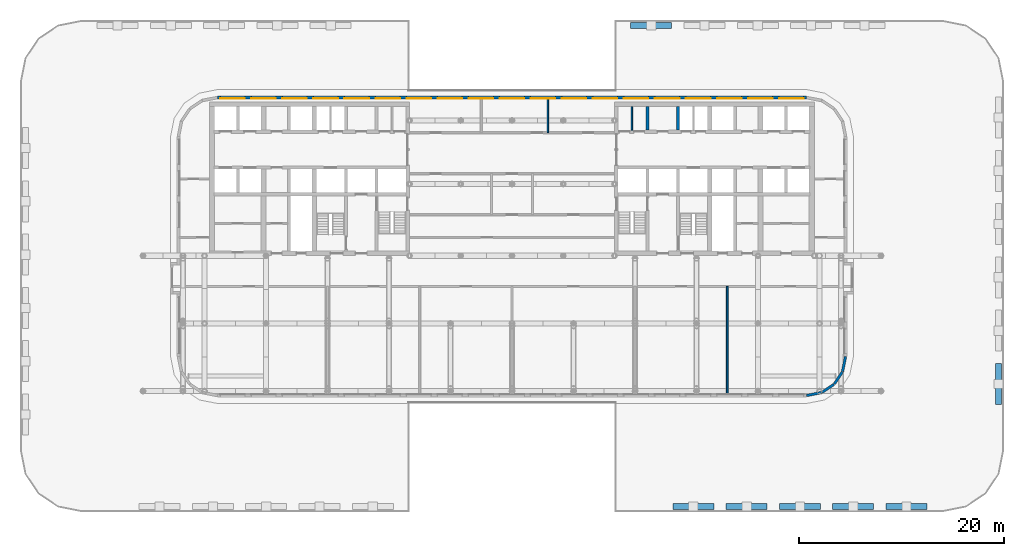
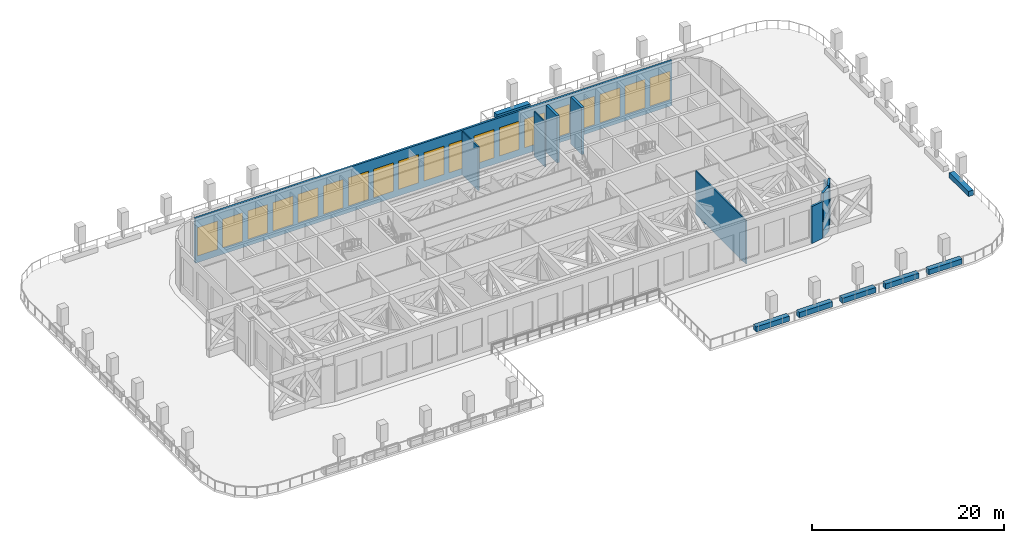
# One storey, part 13 of 20: 19 windows, 17 walls, 19 openings.
"""IFC4 building model written with IfcOpenShell, lengths in metres."""

from ifc_helpers import new_model, si_unit, direction, frame, frame_2d, origin, place, context, subcontext, project, spatial, rectangle, extrude, material, layer, layer_set, type_object, element, fill, save


model = new_model("IFC4")

# Units and contexts
model_context = context("Model", 3, precision=1e-05, world=origin(), true_north=direction((0.0, 1.0)))
body_context = subcontext(model_context, "Body", "Model", "MODEL_VIEW")
ifc_project = project(units=[si_unit("LENGTHUNIT", "METRE"), si_unit("AREAUNIT", "SQUARE_METRE"), si_unit("VOLUMEUNIT", "CUBIC_METRE"), si_unit("PLANEANGLEUNIT", "RADIAN"), si_unit("MASSUNIT", "GRAM", prefix="KILO")], contexts=[model_context])

# Site, building, storey
site_placement = place(None, origin())
site = spatial("IfcSite", under=ifc_project, at=site_placement, CompositionType="ELEMENT")
building_placement = place(site_placement, origin())
building = spatial("IfcBuilding", under=site, at=building_placement, Name="Torana Hotel and Residences", CompositionType="ELEMENT")
storey_placement = place(building_placement, frame((0.0, 0.0, 18.0)))
storey = spatial("IfcBuildingStorey", under=building, at=storey_placement, Name="L03", CompositionType="ELEMENT", Elevation=18.0)

# Walls
ifc_material_1 = material(Name="Concrete C80/95", Category="concrete")
ifc_layer_1 = layer(ifc_material_1, 0.300048828125)
ifc_layer_set_1 = layer_set([ifc_layer_1], Name="CORE WALL 300 C80/95")
wall_type_1 = type_object("IfcWallType", Name="CORE WALL 300 C80/95", PredefinedType="SHEAR", material=ifc_layer_set_1)
for number, where, z_axis, x_axis, name in (
    (1, (13.199951171875, -2.75, 0.0), (0.0, 0.0, 1.0), (0.0, 1.0, 0.0), "Core wall E x3.05-N"),
    (2, (16.199951171875, -2.75, 0.0), (0.0, 0.0, 1.0), (0.0, 1.0, 0.0), "Core wall E x6.05-N"),
):
    element("IfcWall", number, at=place(storey_placement, frame(where, z_axis=z_axis, x_axis=x_axis)), inside=storey, type_object=wall_type_1, Name=name, PredefinedType="SHEAR", context=body_context, shape_type="SweptSolid", body=[
        extrude(rectangle(XDim=2.300048828125, YDim=0.300048828125, at=frame_2d((1.14990234375, 0.0))), origin(), (0.0, 0.0, 1.0), 6.0),
    ])

# Wall, openings, windows
ifc_material_2 = material(Name="Aluminium louvre wall", Category="aluminium")
ifc_layer_2 = layer(ifc_material_2, 0.25)
ifc_layer_set_2 = layer_set([ifc_layer_2], Name="EW3 LOUVRE WALL 250")
wall_type_2 = type_object("IfcWallType", Name="EW3 LOUVRE WALL 250", PredefinedType="SOLIDWALL", material=ifc_layer_set_2)
wall_1_placement = place(storey_placement, frame((28.712890625, 0.43896484375, 0.0), z_axis=(0.0, 0.0, 1.0), x_axis=(-1.0, 0.0, 0.0)))
wall_1 = element("IfcWall", 3, at=wall_1_placement, inside=storey, type_object=wall_type_2, Name="Louvre wall L03 e0.4", PredefinedType="SOLIDWALL", context=body_context, shape_type="SweptSolid", body=[
    extrude(rectangle(XDim=57.42578125, YDim=0.25, at=frame_2d((28.712890625, 0.0))), origin(), (0.0, 0.0, 1.0), 5.719970703125),
])
opening_1_placement = place(wall_1_placement, frame((0.251953125, 0.0, 0.85791015625)))
opening_1 = element("IfcOpeningElement", 4, at=opening_1_placement, cuts=wall_1, Name="Opening LV2", PredefinedType="OPENING", context=body_context, shape_type="SweptSolid", body=[
    extrude(rectangle(XDim=2.39990234375, YDim=3.60009765625, at=frame_2d((1.199951171875, 1.800048828125))), frame((0.0, 0.135009765625, 0.0), z_axis=(0.0, -1.0, 0.0), x_axis=(1.0, 0.0, 0.0)), (0.0, 0.0, 1.0), 0.27001953125),
])
opening_2_placement = place(wall_1_placement, frame((3.281005859375, 0.0, 0.85791015625)))
opening_2 = element("IfcOpeningElement", 5, at=opening_2_placement, cuts=wall_1, Name="Opening LV2", PredefinedType="OPENING", context=body_context, shape_type="SweptSolid", body=[
    extrude(rectangle(XDim=2.39990234375, YDim=3.60009765625, at=frame_2d((1.199951171875, 1.800048828125))), frame((0.0, 0.135009765625, 0.0), z_axis=(0.0, -1.0, 0.0), x_axis=(1.0, 0.0, 0.0)), (0.0, 0.0, 1.0), 0.27001953125),
])
opening_3_placement = place(wall_1_placement, frame((6.309814453125, 0.0, 0.85791015625)))
opening_3 = element("IfcOpeningElement", 6, at=opening_3_placement, cuts=wall_1, Name="Opening LV2", PredefinedType="OPENING", context=body_context, shape_type="SweptSolid", body=[
    extrude(rectangle(XDim=2.39990234375, YDim=3.60009765625, at=frame_2d((1.199951171875, 1.800048828125))), frame((0.0, 0.135009765625, 0.0), z_axis=(0.0, -1.0, 0.0), x_axis=(1.0, 0.0, 0.0)), (0.0, 0.0, 1.0), 0.27001953125),
])
opening_4_placement = place(wall_1_placement, frame((9.3388671875, 0.0, 0.85791015625)))
opening_4 = element("IfcOpeningElement", 7, at=opening_4_placement, cuts=wall_1, Name="Opening LV2", PredefinedType="OPENING", context=body_context, shape_type="SweptSolid", body=[
    extrude(rectangle(XDim=2.39990234375, YDim=3.60009765625, at=frame_2d((1.199951171875, 1.800048828125))), frame((0.0, 0.135009765625, 0.0), z_axis=(0.0, -1.0, 0.0), x_axis=(1.0, 0.0, 0.0)), (0.0, 0.0, 1.0), 0.27001953125),
])
opening_5_placement = place(wall_1_placement, frame((12.367919921875, 0.0, 0.85791015625)))
opening_5 = element("IfcOpeningElement", 8, at=opening_5_placement, cuts=wall_1, Name="Opening LV2", PredefinedType="OPENING", context=body_context, shape_type="SweptSolid", body=[
    extrude(rectangle(XDim=2.39990234375, YDim=3.60009765625, at=frame_2d((1.199951171875, 1.800048828125))), frame((0.0, 0.135009765625, 0.0), z_axis=(0.0, -1.0, 0.0), x_axis=(1.0, 0.0, 0.0)), (0.0, 0.0, 1.0), 0.27001953125),
])
opening_6_placement = place(wall_1_placement, frame((15.396728515625, 0.0, 0.85791015625)))
opening_6 = element("IfcOpeningElement", 9, at=opening_6_placement, cuts=wall_1, Name="Opening LV2", PredefinedType="OPENING", context=body_context, shape_type="SweptSolid", body=[
    extrude(rectangle(XDim=2.39990234375, YDim=3.60009765625, at=frame_2d((1.199951171875, 1.800048828125))), frame((0.0, 0.135009765625, 0.0), z_axis=(0.0, -1.0, 0.0), x_axis=(1.0, 0.0, 0.0)), (0.0, 0.0, 1.0), 0.27001953125),
])
opening_7_placement = place(wall_1_placement, frame((18.42578125, 0.0, 0.85791015625)))
opening_7 = element("IfcOpeningElement", 10, at=opening_7_placement, cuts=wall_1, Name="Opening LV2", PredefinedType="OPENING", context=body_context, shape_type="SweptSolid", body=[
    extrude(rectangle(XDim=2.39990234375, YDim=3.60009765625, at=frame_2d((1.199951171875, 1.800048828125))), frame((0.0, 0.135009765625, 0.0), z_axis=(0.0, -1.0, 0.0), x_axis=(1.0, 0.0, 0.0)), (0.0, 0.0, 1.0), 0.27001953125),
])
opening_8_placement = place(wall_1_placement, frame((21.454833984375, 0.0, 0.85791015625)))
opening_8 = element("IfcOpeningElement", 11, at=opening_8_placement, cuts=wall_1, Name="Opening LV2", PredefinedType="OPENING", context=body_context, shape_type="SweptSolid", body=[
    extrude(rectangle(XDim=2.39990234375, YDim=3.60009765625, at=frame_2d((1.199951171875, 1.800048828125))), frame((0.0, 0.135009765625, 0.0), z_axis=(0.0, -1.0, 0.0), x_axis=(1.0, 0.0, 0.0)), (0.0, 0.0, 1.0), 0.27001953125),
])
opening_9_placement = place(wall_1_placement, frame((24.48388671875, 0.0, 0.85791015625)))
opening_9 = element("IfcOpeningElement", 12, at=opening_9_placement, cuts=wall_1, Name="Opening LV2", PredefinedType="OPENING", context=body_context, shape_type="SweptSolid", body=[
    extrude(rectangle(XDim=2.39990234375, YDim=3.60009765625, at=frame_2d((1.199951171875, 1.800048828125))), frame((0.0, 0.135009765625, 0.0), z_axis=(0.0, -1.0, 0.0), x_axis=(1.0, 0.0, 0.0)), (0.0, 0.0, 1.0), 0.27001953125),
])
opening_10_placement = place(wall_1_placement, frame((27.5126953125, 0.0, 0.85791015625)))
opening_10 = element("IfcOpeningElement", 13, at=opening_10_placement, cuts=wall_1, Name="Opening LV2", PredefinedType="OPENING", context=body_context, shape_type="SweptSolid", body=[
    extrude(rectangle(XDim=2.39990234375, YDim=3.60009765625, at=frame_2d((1.199951171875, 1.800048828125))), frame((0.0, 0.135009765625, 0.0), z_axis=(0.0, -1.0, 0.0), x_axis=(1.0, 0.0, 0.0)), (0.0, 0.0, 1.0), 0.27001953125),
])
opening_11_placement = place(wall_1_placement, frame((30.541748046875, 0.0, 0.85791015625)))
opening_11 = element("IfcOpeningElement", 14, at=opening_11_placement, cuts=wall_1, Name="Opening LV2", PredefinedType="OPENING", context=body_context, shape_type="SweptSolid", body=[
    extrude(rectangle(XDim=2.39990234375, YDim=3.60009765625, at=frame_2d((1.199951171875, 1.800048828125))), frame((0.0, 0.135009765625, 0.0), z_axis=(0.0, -1.0, 0.0), x_axis=(1.0, 0.0, 0.0)), (0.0, 0.0, 1.0), 0.27001953125),
])
opening_12_placement = place(wall_1_placement, frame((33.57080078125, 0.0, 0.85791015625)))
opening_12 = element("IfcOpeningElement", 15, at=opening_12_placement, cuts=wall_1, Name="Opening LV2", PredefinedType="OPENING", context=body_context, shape_type="SweptSolid", body=[
    extrude(rectangle(XDim=2.39990234375, YDim=3.60009765625, at=frame_2d((1.199951171875, 1.800048828125))), frame((0.0, 0.135009765625, 0.0), z_axis=(0.0, -1.0, 0.0), x_axis=(1.0, 0.0, 0.0)), (0.0, 0.0, 1.0), 0.27001953125),
])
opening_13_placement = place(wall_1_placement, frame((36.599609375, 0.0, 0.85791015625)))
opening_13 = element("IfcOpeningElement", 16, at=opening_13_placement, cuts=wall_1, Name="Opening LV2", PredefinedType="OPENING", context=body_context, shape_type="SweptSolid", body=[
    extrude(rectangle(XDim=2.39990234375, YDim=3.60009765625, at=frame_2d((1.199951171875, 1.800048828125))), frame((0.0, 0.135009765625, 0.0), z_axis=(0.0, -1.0, 0.0), x_axis=(1.0, 0.0, 0.0)), (0.0, 0.0, 1.0), 0.27001953125),
])
opening_14_placement = place(wall_1_placement, frame((39.628662109375, 0.0, 0.85791015625)))
opening_14 = element("IfcOpeningElement", 17, at=opening_14_placement, cuts=wall_1, Name="Opening LV2", PredefinedType="OPENING", context=body_context, shape_type="SweptSolid", body=[
    extrude(rectangle(XDim=2.39990234375, YDim=3.60009765625, at=frame_2d((1.199951171875, 1.800048828125))), frame((0.0, 0.135009765625, 0.0), z_axis=(0.0, -1.0, 0.0), x_axis=(1.0, 0.0, 0.0)), (0.0, 0.0, 1.0), 0.27001953125),
])
opening_15_placement = place(wall_1_placement, frame((42.65771484375, 0.0, 0.85791015625)))
opening_15 = element("IfcOpeningElement", 18, at=opening_15_placement, cuts=wall_1, Name="Opening LV2", PredefinedType="OPENING", context=body_context, shape_type="SweptSolid", body=[
    extrude(rectangle(XDim=2.39990234375, YDim=3.60009765625, at=frame_2d((1.199951171875, 1.800048828125))), frame((0.0, 0.135009765625, 0.0), z_axis=(0.0, -1.0, 0.0), x_axis=(1.0, 0.0, 0.0)), (0.0, 0.0, 1.0), 0.27001953125),
])
opening_16_placement = place(wall_1_placement, frame((45.686767578125, 0.0, 0.85791015625)))
opening_16 = element("IfcOpeningElement", 19, at=opening_16_placement, cuts=wall_1, Name="Opening LV2", PredefinedType="OPENING", context=body_context, shape_type="SweptSolid", body=[
    extrude(rectangle(XDim=2.39990234375, YDim=3.60009765625, at=frame_2d((1.199951171875, 1.800048828125))), frame((0.0, 0.135009765625, 0.0), z_axis=(0.0, -1.0, 0.0), x_axis=(1.0, 0.0, 0.0)), (0.0, 0.0, 1.0), 0.27001953125),
])
opening_17_placement = place(wall_1_placement, frame((48.7158203125, 0.0, 0.85791015625)))
opening_17 = element("IfcOpeningElement", 20, at=opening_17_placement, cuts=wall_1, Name="Opening LV2", PredefinedType="OPENING", context=body_context, shape_type="SweptSolid", body=[
    extrude(rectangle(XDim=2.39990234375, YDim=3.60009765625, at=frame_2d((1.199951171875, 1.800048828125))), frame((0.0, 0.135009765625, 0.0), z_axis=(0.0, -1.0, 0.0), x_axis=(1.0, 0.0, 0.0)), (0.0, 0.0, 1.0), 0.27001953125),
])
opening_18_placement = place(wall_1_placement, frame((51.74462890625, 0.0, 0.85791015625)))
opening_18 = element("IfcOpeningElement", 21, at=opening_18_placement, cuts=wall_1, Name="Opening LV2", PredefinedType="OPENING", context=body_context, shape_type="SweptSolid", body=[
    extrude(rectangle(XDim=2.39990234375, YDim=3.60009765625, at=frame_2d((1.199951171875, 1.800048828125))), frame((0.0, 0.135009765625, 0.0), z_axis=(0.0, -1.0, 0.0), x_axis=(1.0, 0.0, 0.0)), (0.0, 0.0, 1.0), 0.27001953125),
])
opening_19_placement = place(wall_1_placement, frame((54.773681640625, 0.0, 0.85791015625)))
opening_19 = element("IfcOpeningElement", 22, at=opening_19_placement, cuts=wall_1, Name="Opening LV2", PredefinedType="OPENING", context=body_context, shape_type="SweptSolid", body=[
    extrude(rectangle(XDim=2.39990234375, YDim=3.60009765625, at=frame_2d((1.199951171875, 1.800048828125))), frame((0.0, 0.135009765625, 0.0), z_axis=(0.0, -1.0, 0.0), x_axis=(1.0, 0.0, 0.0)), (0.0, 0.0, 1.0), 0.27001953125),
])
ifc_material_3 = material(Name="Aluminium louvre blades", Category="aluminium")
window_type = type_object("IfcWindowType", Name="LV2 LOUVRE 2400x3600", PartitioningType="SINGLE_PANEL", PredefinedType="USERDEFINED", material=ifc_material_3)
window_1_placement = place(opening_1_placement, origin())
window_1 = element("IfcWindow", 23, at=window_1_placement, inside=storey, type_object=window_type, Name="Louvre L03", ObjectType="LOUVRE", OverallHeight=3.60009765625, OverallWidth=2.39990234375, PartitioningType="SINGLE_PANEL", PredefinedType="USERDEFINED", context=body_context, shape_type="SweptSolid", body=[
    extrude(rectangle(XDim=2.39990234375, YDim=3.60009765625, at=frame_2d((1.199951171875, 1.800048828125))), frame((0.0, 0.125, 0.0), z_axis=(0.0, -1.0, 0.0), x_axis=(1.0, 0.0, 0.0)), (0.0, 0.0, 1.0), 0.06005859375),
])
fill(opening_1, window_1)
window_2_placement = place(opening_2_placement, origin())
window_2 = element("IfcWindow", 24, at=window_2_placement, inside=storey, type_object=window_type, Name="Louvre L03", ObjectType="LOUVRE", OverallHeight=3.60009765625, OverallWidth=2.39990234375, PartitioningType="SINGLE_PANEL", PredefinedType="USERDEFINED", context=body_context, shape_type="SweptSolid", body=[
    extrude(rectangle(XDim=2.39990234375, YDim=3.60009765625, at=frame_2d((1.199951171875, 1.800048828125))), frame((0.0, 0.125, 0.0), z_axis=(0.0, -1.0, 0.0), x_axis=(1.0, 0.0, 0.0)), (0.0, 0.0, 1.0), 0.06005859375),
])
fill(opening_2, window_2)
window_3_placement = place(opening_3_placement, origin())
window_3 = element("IfcWindow", 25, at=window_3_placement, inside=storey, type_object=window_type, Name="Louvre L03", ObjectType="LOUVRE", OverallHeight=3.60009765625, OverallWidth=2.39990234375, PartitioningType="SINGLE_PANEL", PredefinedType="USERDEFINED", context=body_context, shape_type="SweptSolid", body=[
    extrude(rectangle(XDim=2.39990234375, YDim=3.60009765625, at=frame_2d((1.199951171875, 1.800048828125))), frame((0.0, 0.125, 0.0), z_axis=(0.0, -1.0, 0.0), x_axis=(1.0, 0.0, 0.0)), (0.0, 0.0, 1.0), 0.06005859375),
])
fill(opening_3, window_3)
window_4_placement = place(opening_4_placement, origin())
window_4 = element("IfcWindow", 26, at=window_4_placement, inside=storey, type_object=window_type, Name="Louvre L03", ObjectType="LOUVRE", OverallHeight=3.60009765625, OverallWidth=2.39990234375, PartitioningType="SINGLE_PANEL", PredefinedType="USERDEFINED", context=body_context, shape_type="SweptSolid", body=[
    extrude(rectangle(XDim=2.39990234375, YDim=3.60009765625, at=frame_2d((1.199951171875, 1.800048828125))), frame((0.0, 0.125, 0.0), z_axis=(0.0, -1.0, 0.0), x_axis=(1.0, 0.0, 0.0)), (0.0, 0.0, 1.0), 0.06005859375),
])
fill(opening_4, window_4)
window_5_placement = place(opening_5_placement, origin())
window_5 = element("IfcWindow", 27, at=window_5_placement, inside=storey, type_object=window_type, Name="Louvre L03", ObjectType="LOUVRE", OverallHeight=3.60009765625, OverallWidth=2.39990234375, PartitioningType="SINGLE_PANEL", PredefinedType="USERDEFINED", context=body_context, shape_type="SweptSolid", body=[
    extrude(rectangle(XDim=2.39990234375, YDim=3.60009765625, at=frame_2d((1.199951171875, 1.800048828125))), frame((0.0, 0.125, 0.0), z_axis=(0.0, -1.0, 0.0), x_axis=(1.0, 0.0, 0.0)), (0.0, 0.0, 1.0), 0.06005859375),
])
fill(opening_5, window_5)
window_6_placement = place(opening_6_placement, origin())
window_6 = element("IfcWindow", 28, at=window_6_placement, inside=storey, type_object=window_type, Name="Louvre L03", ObjectType="LOUVRE", OverallHeight=3.60009765625, OverallWidth=2.39990234375, PartitioningType="SINGLE_PANEL", PredefinedType="USERDEFINED", context=body_context, shape_type="SweptSolid", body=[
    extrude(rectangle(XDim=2.39990234375, YDim=3.60009765625, at=frame_2d((1.199951171875, 1.800048828125))), frame((0.0, 0.125, 0.0), z_axis=(0.0, -1.0, 0.0), x_axis=(1.0, 0.0, 0.0)), (0.0, 0.0, 1.0), 0.06005859375),
])
fill(opening_6, window_6)
window_7_placement = place(opening_7_placement, origin())
window_7 = element("IfcWindow", 29, at=window_7_placement, inside=storey, type_object=window_type, Name="Louvre L03", ObjectType="LOUVRE", OverallHeight=3.60009765625, OverallWidth=2.39990234375, PartitioningType="SINGLE_PANEL", PredefinedType="USERDEFINED", context=body_context, shape_type="SweptSolid", body=[
    extrude(rectangle(XDim=2.39990234375, YDim=3.60009765625, at=frame_2d((1.199951171875, 1.800048828125))), frame((0.0, 0.125, 0.0), z_axis=(0.0, -1.0, 0.0), x_axis=(1.0, 0.0, 0.0)), (0.0, 0.0, 1.0), 0.06005859375),
])
fill(opening_7, window_7)
window_8_placement = place(opening_8_placement, origin())
window_8 = element("IfcWindow", 30, at=window_8_placement, inside=storey, type_object=window_type, Name="Louvre L03", ObjectType="LOUVRE", OverallHeight=3.60009765625, OverallWidth=2.39990234375, PartitioningType="SINGLE_PANEL", PredefinedType="USERDEFINED", context=body_context, shape_type="SweptSolid", body=[
    extrude(rectangle(XDim=2.39990234375, YDim=3.60009765625, at=frame_2d((1.199951171875, 1.800048828125))), frame((0.0, 0.125, 0.0), z_axis=(0.0, -1.0, 0.0), x_axis=(1.0, 0.0, 0.0)), (0.0, 0.0, 1.0), 0.06005859375),
])
fill(opening_8, window_8)
window_9_placement = place(opening_9_placement, origin())
window_9 = element("IfcWindow", 31, at=window_9_placement, inside=storey, type_object=window_type, Name="Louvre L03", ObjectType="LOUVRE", OverallHeight=3.60009765625, OverallWidth=2.39990234375, PartitioningType="SINGLE_PANEL", PredefinedType="USERDEFINED", context=body_context, shape_type="SweptSolid", body=[
    extrude(rectangle(XDim=2.39990234375, YDim=3.60009765625, at=frame_2d((1.199951171875, 1.800048828125))), frame((0.0, 0.125, 0.0), z_axis=(0.0, -1.0, 0.0), x_axis=(1.0, 0.0, 0.0)), (0.0, 0.0, 1.0), 0.06005859375),
])
fill(opening_9, window_9)
window_10_placement = place(opening_10_placement, origin())
window_10 = element("IfcWindow", 32, at=window_10_placement, inside=storey, type_object=window_type, Name="Louvre L03", ObjectType="LOUVRE", OverallHeight=3.60009765625, OverallWidth=2.39990234375, PartitioningType="SINGLE_PANEL", PredefinedType="USERDEFINED", context=body_context, shape_type="SweptSolid", body=[
    extrude(rectangle(XDim=2.39990234375, YDim=3.60009765625, at=frame_2d((1.199951171875, 1.800048828125))), frame((0.0, 0.125, 0.0), z_axis=(0.0, -1.0, 0.0), x_axis=(1.0, 0.0, 0.0)), (0.0, 0.0, 1.0), 0.06005859375),
])
fill(opening_10, window_10)
window_11_placement = place(opening_11_placement, origin())
window_11 = element("IfcWindow", 33, at=window_11_placement, inside=storey, type_object=window_type, Name="Louvre L03", ObjectType="LOUVRE", OverallHeight=3.60009765625, OverallWidth=2.39990234375, PartitioningType="SINGLE_PANEL", PredefinedType="USERDEFINED", context=body_context, shape_type="SweptSolid", body=[
    extrude(rectangle(XDim=2.39990234375, YDim=3.60009765625, at=frame_2d((1.199951171875, 1.800048828125))), frame((0.0, 0.125, 0.0), z_axis=(0.0, -1.0, 0.0), x_axis=(1.0, 0.0, 0.0)), (0.0, 0.0, 1.0), 0.06005859375),
])
fill(opening_11, window_11)
window_12_placement = place(opening_12_placement, origin())
window_12 = element("IfcWindow", 34, at=window_12_placement, inside=storey, type_object=window_type, Name="Louvre L03", ObjectType="LOUVRE", OverallHeight=3.60009765625, OverallWidth=2.39990234375, PartitioningType="SINGLE_PANEL", PredefinedType="USERDEFINED", context=body_context, shape_type="SweptSolid", body=[
    extrude(rectangle(XDim=2.39990234375, YDim=3.60009765625, at=frame_2d((1.199951171875, 1.800048828125))), frame((0.0, 0.125, 0.0), z_axis=(0.0, -1.0, 0.0), x_axis=(1.0, 0.0, 0.0)), (0.0, 0.0, 1.0), 0.06005859375),
])
fill(opening_12, window_12)
window_13_placement = place(opening_13_placement, origin())
window_13 = element("IfcWindow", 35, at=window_13_placement, inside=storey, type_object=window_type, Name="Louvre L03", ObjectType="LOUVRE", OverallHeight=3.60009765625, OverallWidth=2.39990234375, PartitioningType="SINGLE_PANEL", PredefinedType="USERDEFINED", context=body_context, shape_type="SweptSolid", body=[
    extrude(rectangle(XDim=2.39990234375, YDim=3.60009765625, at=frame_2d((1.199951171875, 1.800048828125))), frame((0.0, 0.125, 0.0), z_axis=(0.0, -1.0, 0.0), x_axis=(1.0, 0.0, 0.0)), (0.0, 0.0, 1.0), 0.06005859375),
])
fill(opening_13, window_13)
window_14_placement = place(opening_14_placement, origin())
window_14 = element("IfcWindow", 36, at=window_14_placement, inside=storey, type_object=window_type, Name="Louvre L03", ObjectType="LOUVRE", OverallHeight=3.60009765625, OverallWidth=2.39990234375, PartitioningType="SINGLE_PANEL", PredefinedType="USERDEFINED", context=body_context, shape_type="SweptSolid", body=[
    extrude(rectangle(XDim=2.39990234375, YDim=3.60009765625, at=frame_2d((1.199951171875, 1.800048828125))), frame((0.0, 0.125, 0.0), z_axis=(0.0, -1.0, 0.0), x_axis=(1.0, 0.0, 0.0)), (0.0, 0.0, 1.0), 0.06005859375),
])
fill(opening_14, window_14)
window_15_placement = place(opening_15_placement, origin())
window_15 = element("IfcWindow", 37, at=window_15_placement, inside=storey, type_object=window_type, Name="Louvre L03", ObjectType="LOUVRE", OverallHeight=3.60009765625, OverallWidth=2.39990234375, PartitioningType="SINGLE_PANEL", PredefinedType="USERDEFINED", context=body_context, shape_type="SweptSolid", body=[
    extrude(rectangle(XDim=2.39990234375, YDim=3.60009765625, at=frame_2d((1.199951171875, 1.800048828125))), frame((0.0, 0.125, 0.0), z_axis=(0.0, -1.0, 0.0), x_axis=(1.0, 0.0, 0.0)), (0.0, 0.0, 1.0), 0.06005859375),
])
fill(opening_15, window_15)
window_16_placement = place(opening_16_placement, origin())
window_16 = element("IfcWindow", 38, at=window_16_placement, inside=storey, type_object=window_type, Name="Louvre L03", ObjectType="LOUVRE", OverallHeight=3.60009765625, OverallWidth=2.39990234375, PartitioningType="SINGLE_PANEL", PredefinedType="USERDEFINED", context=body_context, shape_type="SweptSolid", body=[
    extrude(rectangle(XDim=2.39990234375, YDim=3.60009765625, at=frame_2d((1.199951171875, 1.800048828125))), frame((0.0, 0.125, 0.0), z_axis=(0.0, -1.0, 0.0), x_axis=(1.0, 0.0, 0.0)), (0.0, 0.0, 1.0), 0.06005859375),
])
fill(opening_16, window_16)
window_17_placement = place(opening_17_placement, origin())
window_17 = element("IfcWindow", 39, at=window_17_placement, inside=storey, type_object=window_type, Name="Louvre L03", ObjectType="LOUVRE", OverallHeight=3.60009765625, OverallWidth=2.39990234375, PartitioningType="SINGLE_PANEL", PredefinedType="USERDEFINED", context=body_context, shape_type="SweptSolid", body=[
    extrude(rectangle(XDim=2.39990234375, YDim=3.60009765625, at=frame_2d((1.199951171875, 1.800048828125))), frame((0.0, 0.125, 0.0), z_axis=(0.0, -1.0, 0.0), x_axis=(1.0, 0.0, 0.0)), (0.0, 0.0, 1.0), 0.06005859375),
])
fill(opening_17, window_17)
window_18_placement = place(opening_18_placement, origin())
window_18 = element("IfcWindow", 40, at=window_18_placement, inside=storey, type_object=window_type, Name="Louvre L03", ObjectType="LOUVRE", OverallHeight=3.60009765625, OverallWidth=2.39990234375, PartitioningType="SINGLE_PANEL", PredefinedType="USERDEFINED", context=body_context, shape_type="SweptSolid", body=[
    extrude(rectangle(XDim=2.39990234375, YDim=3.60009765625, at=frame_2d((1.199951171875, 1.800048828125))), frame((0.0, 0.125, 0.0), z_axis=(0.0, -1.0, 0.0), x_axis=(1.0, 0.0, 0.0)), (0.0, 0.0, 1.0), 0.06005859375),
])
fill(opening_18, window_18)
window_19_placement = place(opening_19_placement, origin())
window_19 = element("IfcWindow", 41, at=window_19_placement, inside=storey, type_object=window_type, Name="Louvre L03", ObjectType="LOUVRE", OverallHeight=3.60009765625, OverallWidth=2.39990234375, PartitioningType="SINGLE_PANEL", PredefinedType="USERDEFINED", context=body_context, shape_type="SweptSolid", body=[
    extrude(rectangle(XDim=2.39990234375, YDim=3.60009765625, at=frame_2d((1.199951171875, 1.800048828125))), frame((0.0, 0.125, 0.0), z_axis=(0.0, -1.0, 0.0), x_axis=(1.0, 0.0, 0.0)), (0.0, 0.0, 1.0), 0.06005859375),
])
fill(opening_19, window_19)

# Walls
wall_2_placement = place(storey_placement, frame((28.737060546875, -28.63671875, 0.0), z_axis=(0.0, 0.0, 1.0), x_axis=(0.980768988185, 0.19517221066, 0.0)))
element("IfcWall", 42, at=wall_2_placement, inside=storey, type_object=wall_type_2, Name="Louvre wall L03 e0.15", PredefinedType="SOLIDWALL", context=body_context, shape_type="SweptSolid", body=[
    extrude(rectangle(XDim=1.492431640625, YDim=0.25, at=frame_2d((0.74609375, 0.0))), origin(), (0.0, 0.0, 1.0), 4.719970703125),
])
for number, where, z_axis, x_axis, name in (
    (43, (30.245849609375, -28.326904296875, 0.0), (0.0, 0.0, 1.0), (0.831407382002, 0.555663355956, 0.0), "Louvre wall L03 e0.16"),
    (44, (31.447265625, -27.5126953125, 0.0), (0.0, 0.0, 1.0), (0.555543083115, 0.831487752648, 0.0), "Louvre wall L03 e0.17"),
):
    element("IfcWall", number, at=place(storey_placement, frame(where, z_axis=z_axis, x_axis=x_axis)), inside=storey, type_object=wall_type_2, Name=name, PredefinedType="SOLIDWALL", context=body_context, shape_type="SweptSolid", body=[
        extrude(rectangle(XDim=1.4033203125, YDim=0.25, at=frame_2d((0.70166015625, 0.0))), origin(), (0.0, 0.0, 1.0), 5.719970703125),
    ])
wall_3_placement = place(storey_placement, frame((32.24560546875, -26.30078125, 0.0), z_axis=(0.0, 0.0, 1.0), x_axis=(0.195014837095, 0.980800292268, 0.0)))
element("IfcWall", 45, at=wall_3_placement, inside=storey, type_object=wall_type_2, Name="Louvre wall L03 e0.18", PredefinedType="SOLIDWALL", context=body_context, shape_type="SweptSolid", body=[
    extrude(rectangle(XDim=1.4921875, YDim=0.25, at=frame_2d((0.74609375, 0.0))), origin(), (0.0, 0.0, 1.0), 4.52001953125),
])
ifc_material_4 = material(Name="Gypsum plaster")
ifc_layer_3 = layer(ifc_material_4, 0.014892578125, Name="Plaster", Category="finish")
ifc_material_5 = material(Name="Concrete blockwork", Category="masonry")
ifc_layer_4 = layer(ifc_material_5, 0.1201171875, Name="Blockwork", Category="structure")
ifc_layer_5 = layer(ifc_material_4, 0.014892578125, Name="Plaster", Category="finish")
ifc_layer_set_3 = layer_set([ifc_layer_3, ifc_layer_4, ifc_layer_5], Name="FIRE PARTITION 150 BLOCKWORK")
wall_type_3 = type_object("IfcWallType", Name="FIRE PARTITION 150 BLOCKWORK", PredefinedType="PARTITIONING", material=ifc_layer_set_3)
wall_4_placement = place(storey_placement, frame((11.699951171875, -2.75, 0.0), z_axis=(0.0, 0.0, 1.0), x_axis=(0.0, 1.0, 0.0)))
element("IfcWall", 46, at=wall_4_placement, inside=storey, type_object=wall_type_3, Name="Core partition L03", PredefinedType="PARTITIONING", context=body_context, shape_type="SweptSolid", body=[
    extrude(rectangle(XDim=2.300048828125, YDim=0.14990234375, at=frame_2d((1.14990234375, 0.0))), origin(), (0.0, 0.0, 1.0), 5.699951171875),
])
ifc_material_6 = material(Name="Gypsum plasterboard")
ifc_layer_6 = layer(ifc_material_6, 0.012451171875, Name="Plasterboard", Category="finish")
ifc_layer_7 = layer(ifc_material_6, 0.012451171875, Name="Plasterboard", Category="finish")
ifc_material_7 = material(Name="Steel S280GD", Category="steel")
ifc_layer_8 = layer(ifc_material_7, 0.10009765625, Name="Steel studs with mineral wool", Category="insulation")
ifc_layer_9 = layer(ifc_material_6, 0.012451171875, Name="Plasterboard", Category="finish")
ifc_layer_10 = layer(ifc_material_6, 0.012451171875, Name="Plasterboard", Category="finish")
ifc_layer_set_4 = layer_set([ifc_layer_6, ifc_layer_7, ifc_layer_8, ifc_layer_9, ifc_layer_10], Name="PARTITION 150 PLASTERBOARD")
wall_type_4 = type_object("IfcWallType", Name="PARTITION 150 PLASTERBOARD", PredefinedType="PARTITIONING", material=ifc_layer_set_4)
wall_5_placement = place(storey_placement, frame((21.0, -28.512451171875, 0.0), z_axis=(0.0, 0.0, 1.0), x_axis=(0.0, 1.0, 0.0)))
element("IfcWall", 47, at=wall_5_placement, inside=storey, type_object=wall_type_4, Name="Partition L03", PredefinedType="PARTITIONING", context=body_context, shape_type="SweptSolid", body=[
    extrude(rectangle(XDim=10.512451171875, YDim=0.14990234375, at=frame_2d((5.25634765625, 0.0))), origin(), (0.0, 0.0, 1.0), 5.550048828125),
])
wall_6_placement = place(storey_placement, frame((3.5, -3.0, 0.0), z_axis=(0.0, 0.0, 1.0), x_axis=(0.0, 1.0, 0.0)))
element("IfcWall", 48, at=wall_6_placement, inside=storey, type_object=wall_type_4, Name="Partition L03", PredefinedType="PARTITIONING", context=body_context, shape_type="SweptSolid", body=[
    extrude(rectangle(XDim=3.3125, YDim=0.14990234375, at=frame_2d((1.65625, 0.0))), origin(), (0.0, 0.0, 1.0), 5.550048828125),
])
ifc_material_8 = material(Name="Concrete C40/50 precast", Category="concrete")
ifc_layer_11 = layer(ifc_material_8, 0.10009765625, Name="Planter shell", Category="structure")
ifc_material_9 = material(Name="Root resistant membrane")
ifc_layer_12 = layer(ifc_material_9, 0.00390625, Name="Waterproofing membrane", Category="membrane")
ifc_material_10 = material(Name="Drainage board with filter fleece")
ifc_layer_13 = layer(ifc_material_10, 0.02001953125, Name="Drainage board", Category="drainage")
ifc_material_11 = material(Name="Growing medium")
ifc_layer_14 = layer(ifc_material_11, 0.47607421875, Name="Planting substrate", Category="soil")
ifc_layer_set_5 = layer_set([ifc_layer_11, ifc_layer_12, ifc_layer_13, ifc_layer_14], Name="PL1 BALCONY PLANTER 600")
wall_type_5 = type_object("IfcWallType", Name="PL1 BALCONY PLANTER 600", PredefinedType="USERDEFINED", material=ifc_layer_set_5)
for number, where, z_axis, x_axis, name in (
    (49, (11.580078125, 7.469970703125, 0.0), (0.0, 0.0, 1.0), (1.0, 0.0, 0.0), "Planter L03 2.1"),
    (50, (47.469970703125, -25.5078125, 0.0), (0.0, 0.0, 1.0), (0.0, -1.0, 0.0), "Planter L03 2.11"),
    (51, (40.4921875, -39.469970703125, 0.0), (0.0, 0.0, 1.0), (-1.0, 0.0, 0.0), "Planter L03 2.12"),
    (52, (35.2919921875, -39.469970703125, 0.0), (0.0, 0.0, 1.0), (-1.0, 0.0, 0.0), "Planter L03 2.13"),
    (53, (30.092041015625, -39.469970703125, 0.0), (0.0, 0.0, 1.0), (-1.0, 0.0, 0.0), "Planter L03 2.14"),
    (54, (24.89208984375, -39.469970703125, 0.0), (0.0, 0.0, 1.0), (-1.0, 0.0, 0.0), "Planter L03 2.15"),
    (55, (19.692138671875, -39.469970703125, 0.0), (0.0, 0.0, 1.0), (-1.0, 0.0, 0.0), "Planter L03 2.16"),
):
    element("IfcWall", number, at=place(storey_placement, frame(where, z_axis=z_axis, x_axis=x_axis)), inside=storey, type_object=wall_type_5, Name=name, ObjectType="PLANTER", PredefinedType="USERDEFINED", context=body_context, shape_type="SweptSolid", body=[
        extrude(rectangle(XDim=4.0, YDim=0.60009765625, at=frame_2d((2.0, 0.0))), origin(), (0.0, 0.0, 1.0), 0.64990234375),
    ])

save(model, "model.ifc")
